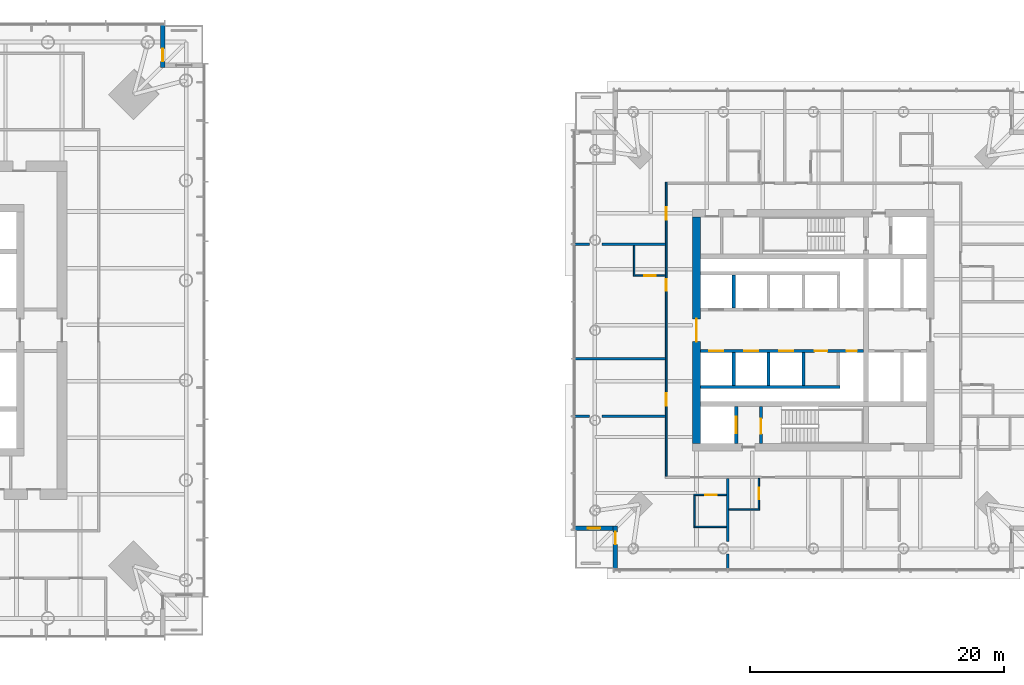
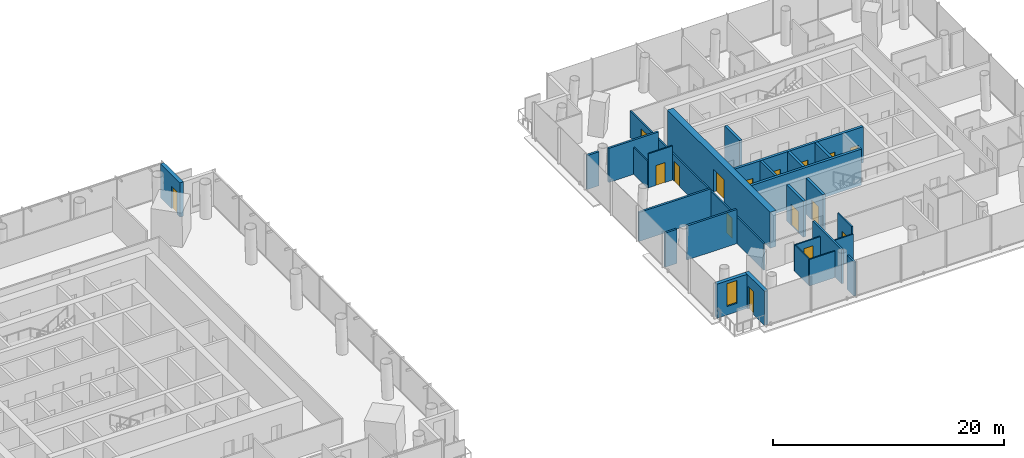
# One storey, part 12 of 22: 27 walls, 16 doors, 1 window, 17 openings.
"""IFC4 building model written with IfcOpenShell, lengths in metres."""

from ifc_helpers import new_model, si_unit, direction, frame, frame_2d, origin, place, context, subcontext, project, spatial, rectangle, extrude, material, layer, layer_set, type_object, element, fill, save


model = new_model("IFC4")

# Units and contexts
model_context = context("Model", 3, precision=1e-05, world=origin(), true_north=direction((0.0, 1.0)))
body_context = subcontext(model_context, "Body", "Model", "MODEL_VIEW")
ifc_project = project(units=[si_unit("LENGTHUNIT", "METRE"), si_unit("AREAUNIT", "SQUARE_METRE"), si_unit("VOLUMEUNIT", "CUBIC_METRE"), si_unit("PLANEANGLEUNIT", "RADIAN"), si_unit("MASSUNIT", "GRAM", prefix="KILO")], contexts=[model_context])

# Site, building, storey
site_placement = place(None, origin())
site = spatial("IfcSite", under=ifc_project, at=site_placement, CompositionType="ELEMENT")
building_placement = place(site_placement, origin())
building = spatial("IfcBuilding", under=site, at=building_placement, Name="Ostroluk Exchange", CompositionType="ELEMENT")
storey_placement = place(building_placement, frame((0.0, 0.0, 62.800048828125)))
storey = spatial("IfcBuildingStorey", under=building, at=storey_placement, Name="L15", CompositionType="ELEMENT", Elevation=62.800048828125)

# Wall, opening, door
ifc_material_1 = material(Name="Concrete C40/50", Category="concrete")
ifc_layer_1 = layer(ifc_material_1, 0.25)
ifc_layer_set_1 = layer_set([ifc_layer_1], Name="Core shaft wall 250")
wall_type_1 = type_object("IfcWallType", Name="Core shaft wall 250", PredefinedType="SHEAR", material=ifc_layer_set_1)
wall_1_placement = place(storey_placement, frame((110.925048828125, 37.10009765625, 0.0), z_axis=(0.0, 0.0, 1.0), x_axis=(0.0, 1.0, 0.0)))
wall_1 = element("IfcWall", 1, at=wall_1_placement, inside=storey, type_object=wall_type_1, Name="Firefighting lift shaft wall", PredefinedType="SHEAR", context=body_context, shape_type="SweptSolid", body=[
    extrude(rectangle(XDim=2.89990234375, YDim=0.25, at=frame_2d((1.449951171875, 0.0))), origin(), (0.0, 0.0, 1.0), 3.800048828125),
])
opening_1_placement = place(wall_1_placement, frame((0.800048828125, 0.0, 0.0)))
opening_1 = element("IfcOpeningElement", 2, at=opening_1_placement, cuts=wall_1, Name="Opening LD2", PredefinedType="OPENING", context=body_context, shape_type="SweptSolid", body=[
    extrude(rectangle(XDim=1.300048828125, YDim=2.199951171875, at=frame_2d((0.64990234375, 1.10009765625))), frame((0.0, 0.135009765625, 0.0), z_axis=(0.0, -1.0, 0.0), x_axis=(1.0, 0.0, 0.0)), (0.0, 0.0, 1.0), 0.27001953125),
])
ifc_material_2 = material(Name="Stainless steel", Category="steel")
door_type_1 = type_object("IfcDoorType", Name="Lift landing door E 60 1300 x 2200", OperationType="DOUBLE_DOOR_SLIDING", PredefinedType="DOOR", material=ifc_material_2)
door_1_placement = place(opening_1_placement, origin())
door_1 = element("IfcDoor", 3, at=door_1_placement, inside=storey, type_object=door_type_1, Name="Lift HF1 landing door", OperationType="DOUBLE_DOOR_SLIDING", OverallHeight=2.199951171875, OverallWidth=1.300048828125, PredefinedType="DOOR", context=body_context, shape_type="SweptSolid", body=[
    extrude(rectangle(XDim=1.300048828125, YDim=2.199951171875, at=frame_2d((0.64990234375, 1.10009765625))), frame((0.0, 0.02490234375, 0.0), z_axis=(0.0, -1.0, 0.0), x_axis=(1.0, 0.0, 0.0)), (0.0, 0.0, 1.0), 0.050048828125),
])
fill(opening_1, door_1)

wall_2_placement = place(storey_placement, frame((112.875, 37.10009765625, 0.0), z_axis=(0.0, 0.0, 1.0), x_axis=(0.0, 1.0, 0.0)))
wall_2 = element("IfcWall", 4, at=wall_2_placement, inside=storey, type_object=wall_type_1, Name="Stair shaft wall", PredefinedType="SHEAR", context=body_context, shape_type="SweptSolid", body=[
    extrude(rectangle(XDim=2.89990234375, YDim=0.25, at=frame_2d((1.449951171875, 0.0))), origin(), (0.0, 0.0, 1.0), 3.800048828125),
])
opening_2_placement = place(wall_2_placement, frame((0.75, 0.0, 0.0)))
opening_2 = element("IfcOpeningElement", 5, at=opening_2_placement, cuts=wall_2, Name="Opening FD60S", PredefinedType="OPENING", context=body_context, shape_type="SweptSolid", body=[
    extrude(rectangle(XDim=1.199951171875, YDim=2.10009765625, at=frame_2d((0.60009765625, 1.050048828125))), frame((0.0, 0.135009765625, 0.0), z_axis=(0.0, -1.0, 0.0), x_axis=(1.0, 0.0, 0.0)), (0.0, 0.0, 1.0), 0.27001953125),
])
ifc_material_3 = material(Name="Steel", Category="steel")
door_type_2 = type_object("IfcDoorType", Name="Stair door EI 60 1200 x 2100", OperationType="SINGLE_SWING_LEFT", PredefinedType="DOOR", material=ifc_material_3)
door_2_placement = place(opening_2_placement, origin())
door_2 = element("IfcDoor", 6, at=door_2_placement, inside=storey, type_object=door_type_2, Name="Stair T2-S1 door", OperationType="SINGLE_SWING_LEFT", OverallHeight=2.10009765625, OverallWidth=1.199951171875, PredefinedType="DOOR", context=body_context, shape_type="SweptSolid", body=[
    extrude(rectangle(XDim=1.199951171875, YDim=2.10009765625, at=frame_2d((0.60009765625, 1.050048828125))), frame((0.0, 0.02490234375, 0.0), z_axis=(0.0, -1.0, 0.0), x_axis=(1.0, 0.0, 0.0)), (0.0, 0.0, 1.0), 0.050048828125),
])
fill(opening_2, door_2)

# Walls
for number, where, z_axis, x_axis, name in (
    (7, (110.72509765625, 47.75, 0.0), (0.0, 0.0, 1.0), (0.0, 1.0, 0.0), "Lift shaft wall"),
    (8, (110.72509765625, 44.25, 0.0), (0.0, 0.0, 1.0), (0.0, -1.0, 0.0), "Lift shaft wall"),
    (9, (113.47509765625, 44.25, 0.0), (0.0, 0.0, 1.0), (0.0, -1.0, 0.0), "Lift shaft wall"),
    (10, (116.22509765625, 44.25, 0.0), (0.0, 0.0, 1.0), (0.0, -1.0, 0.0), "Lift shaft wall"),
):
    element("IfcWall", number, at=place(storey_placement, frame(where, z_axis=z_axis, x_axis=x_axis)), inside=storey, type_object=wall_type_1, Name=name, PredefinedType="SHEAR", context=body_context, shape_type="SweptSolid", body=[
        extrude(rectangle(XDim=2.60009765625, YDim=0.25, at=frame_2d((1.300048828125, 0.0))), origin(), (0.0, 0.0, 1.0), 3.800048828125),
    ])
wall_3_placement = place(storey_placement, frame((108.10009765625, 41.52490234375, 0.0), z_axis=(0.0, 0.0, 1.0), x_axis=(1.0, 0.0, 0.0)))
element("IfcWall", 11, at=wall_3_placement, inside=storey, type_object=wall_type_1, Name="Lift shaft wall", PredefinedType="SHEAR", context=body_context, shape_type="SweptSolid", body=[
    extrude(rectangle(XDim=11.0, YDim=0.25, at=frame_2d((5.5, 0.0))), origin(), (0.0, 0.0, 1.0), 3.800048828125),
])

# Wall, openings, doors
wall_4_placement = place(storey_placement, frame((108.10009765625, 44.375, 0.0), z_axis=(0.0, 0.0, 1.0), x_axis=(1.0, 0.0, 0.0)))
wall_4 = element("IfcWall", 12, at=wall_4_placement, inside=storey, type_object=wall_type_1, Name="Lift shaft front wall", PredefinedType="SHEAR", context=body_context, shape_type="SweptSolid", body=[
    extrude(rectangle(XDim=12.829833984375, YDim=0.25, at=frame_2d((6.4150390625, 0.0))), origin(), (0.0, 0.0, 1.0), 3.800048828125),
])
opening_3_placement = place(wall_4_placement, frame((0.699951171875, 0.0, 0.0)))
opening_3 = element("IfcOpeningElement", 13, at=opening_3_placement, cuts=wall_4, Name="Opening LD", PredefinedType="OPENING", context=body_context, shape_type="SweptSolid", body=[
    extrude(rectangle(XDim=1.10009765625, YDim=2.199951171875, at=frame_2d((0.550048828125, 1.10009765625))), frame((0.0, 0.135009765625, 0.0), z_axis=(0.0, -1.0, 0.0), x_axis=(1.0, 0.0, 0.0)), (0.0, 0.0, 1.0), 0.27001953125),
])
opening_4_placement = place(wall_4_placement, frame((3.449951171875, 0.0, 0.0)))
opening_4 = element("IfcOpeningElement", 14, at=opening_4_placement, cuts=wall_4, Name="Opening LD", PredefinedType="OPENING", context=body_context, shape_type="SweptSolid", body=[
    extrude(rectangle(XDim=1.10009765625, YDim=2.199951171875, at=frame_2d((0.550048828125, 1.10009765625))), frame((0.0, 0.135009765625, 0.0), z_axis=(0.0, -1.0, 0.0), x_axis=(1.0, 0.0, 0.0)), (0.0, 0.0, 1.0), 0.27001953125),
])
opening_5_placement = place(wall_4_placement, frame((6.199951171875, 0.0, 0.0)))
opening_5 = element("IfcOpeningElement", 15, at=opening_5_placement, cuts=wall_4, Name="Opening LD", PredefinedType="OPENING", context=body_context, shape_type="SweptSolid", body=[
    extrude(rectangle(XDim=1.10009765625, YDim=2.199951171875, at=frame_2d((0.550048828125, 1.10009765625))), frame((0.0, 0.135009765625, 0.0), z_axis=(0.0, -1.0, 0.0), x_axis=(1.0, 0.0, 0.0)), (0.0, 0.0, 1.0), 0.27001953125),
])
opening_6_placement = place(wall_4_placement, frame((9.0, 0.0, 0.0)))
opening_6 = element("IfcOpeningElement", 16, at=opening_6_placement, cuts=wall_4, Name="Opening FD60", PredefinedType="OPENING", context=body_context, shape_type="SweptSolid", body=[
    extrude(rectangle(XDim=1.0, YDim=2.10009765625, at=frame_2d((0.5, 1.050048828125))), frame((0.0, 0.135009765625, 0.0), z_axis=(0.0, -1.0, 0.0), x_axis=(1.0, 0.0, 0.0)), (0.0, 0.0, 1.0), 0.27001953125),
])
opening_7_placement = place(wall_4_placement, frame((11.514892578125, 0.0, 0.0)))
opening_7 = element("IfcOpeningElement", 17, at=opening_7_placement, cuts=wall_4, Name="Opening RD60", PredefinedType="OPENING", context=body_context, shape_type="SweptSolid", body=[
    extrude(rectangle(XDim=0.800048828125, YDim=2.0, at=frame_2d((0.39990234375, 1.0))), frame((0.0, 0.135009765625, 0.0), z_axis=(0.0, -1.0, 0.0), x_axis=(1.0, 0.0, 0.0)), (0.0, 0.0, 1.0), 0.27001953125),
])
ifc_material_4 = material(Name="Steel", Category="steel")
door_type_3 = type_object("IfcDoorType", Name="Fire door EI 60 1000 x 2100", OperationType="SINGLE_SWING_LEFT", PredefinedType="DOOR", material=ifc_material_4)
door_3_placement = place(opening_6_placement, origin())
door_3 = element("IfcDoor", 18, at=door_3_placement, inside=storey, type_object=door_type_3, Name="Core room door", OperationType="SINGLE_SWING_RIGHT", OverallHeight=2.10009765625, OverallWidth=1.0, PredefinedType="DOOR", context=body_context, shape_type="SweptSolid", body=[
    extrude(rectangle(XDim=1.0, YDim=2.10009765625, at=frame_2d((0.5, 1.050048828125))), frame((0.0, 0.02490234375, 0.0), z_axis=(0.0, -1.0, 0.0), x_axis=(1.0, 0.0, 0.0)), (0.0, 0.0, 1.0), 0.050048828125),
])
fill(opening_6, door_3)
ifc_material_5 = material(Name="Stainless steel", Category="steel")
door_type_4 = type_object("IfcDoorType", Name="Lift landing door E 60 1100 x 2200", OperationType="DOUBLE_DOOR_SLIDING", PredefinedType="DOOR", material=ifc_material_5)
door_4_placement = place(opening_3_placement, origin())
door_4 = element("IfcDoor", 19, at=door_4_placement, inside=storey, type_object=door_type_4, Name="Lift HL5 landing door", OperationType="DOUBLE_DOOR_SLIDING", OverallHeight=2.199951171875, OverallWidth=1.10009765625, PredefinedType="DOOR", context=body_context, shape_type="SweptSolid", body=[
    extrude(rectangle(XDim=1.10009765625, YDim=2.199951171875, at=frame_2d((0.550048828125, 1.10009765625))), frame((0.0, 0.02490234375, 0.0), z_axis=(0.0, -1.0, 0.0), x_axis=(1.0, 0.0, 0.0)), (0.0, 0.0, 1.0), 0.050048828125),
])
fill(opening_3, door_4)
door_5_placement = place(opening_4_placement, origin())
door_5 = element("IfcDoor", 20, at=door_5_placement, inside=storey, type_object=door_type_4, Name="Lift HL6 landing door", OperationType="DOUBLE_DOOR_SLIDING", OverallHeight=2.199951171875, OverallWidth=1.10009765625, PredefinedType="DOOR", context=body_context, shape_type="SweptSolid", body=[
    extrude(rectangle(XDim=1.10009765625, YDim=2.199951171875, at=frame_2d((0.550048828125, 1.10009765625))), frame((0.0, 0.02490234375, 0.0), z_axis=(0.0, -1.0, 0.0), x_axis=(1.0, 0.0, 0.0)), (0.0, 0.0, 1.0), 0.050048828125),
])
fill(opening_4, door_5)
door_6_placement = place(opening_5_placement, origin())
door_6 = element("IfcDoor", 21, at=door_6_placement, inside=storey, type_object=door_type_4, Name="Lift HL7 landing door", OperationType="DOUBLE_DOOR_SLIDING", OverallHeight=2.199951171875, OverallWidth=1.10009765625, PredefinedType="DOOR", context=body_context, shape_type="SweptSolid", body=[
    extrude(rectangle(XDim=1.10009765625, YDim=2.199951171875, at=frame_2d((0.550048828125, 1.10009765625))), frame((0.0, 0.02490234375, 0.0), z_axis=(0.0, -1.0, 0.0), x_axis=(1.0, 0.0, 0.0)), (0.0, 0.0, 1.0), 0.050048828125),
])
fill(opening_5, door_6)
ifc_material_6 = material(Name="Steel", Category="steel")
door_type_5 = type_object("IfcDoorType", Name="Riser access door EI 60 800 x 2000", OperationType="SINGLE_SWING_LEFT", PredefinedType="DOOR", material=ifc_material_6)
door_7_placement = place(opening_7_placement, origin())
door_7 = element("IfcDoor", 22, at=door_7_placement, inside=storey, type_object=door_type_5, Name="Riser access door", OperationType="SINGLE_SWING_RIGHT", OverallHeight=2.0, OverallWidth=0.800048828125, PredefinedType="DOOR", context=body_context, shape_type="SweptSolid", body=[
    extrude(rectangle(XDim=0.800048828125, YDim=2.0, at=frame_2d((0.39990234375, 1.0))), frame((0.0, 0.02490234375, 0.0), z_axis=(0.0, -1.0, 0.0), x_axis=(1.0, 0.0, 0.0)), (0.0, 0.0, 1.0), 0.050048828125),
])
fill(opening_7, door_7)

# Wall, opening, door
ifc_material_7 = material(Name="Concrete C50/60", Category="concrete")
ifc_layer_2 = layer(ifc_material_7, 0.60009765625)
ifc_layer_set_2 = layer_set([ifc_layer_2], Name="Core wall 600 C50/60")
wall_type_2 = type_object("IfcWallType", Name="Core wall 600 C50/60", PredefinedType="SHEAR", material=ifc_layer_set_2)
wall_5_placement = place(storey_placement, frame((107.800048828125, 37.10009765625, 0.0), z_axis=(0.0, 0.0, 1.0), x_axis=(0.0, 1.0, 0.0)))
wall_5 = element("IfcWall", 23, at=wall_5_placement, inside=storey, type_object=wall_type_2, Name="T2 core wall W", PredefinedType="SHEAR", context=body_context, shape_type="SweptSolid", body=[
    extrude(rectangle(XDim=17.7998046875, YDim=0.60009765625, at=frame_2d((8.89990234375, 0.0))), origin(), (0.0, 0.0, 1.0), 3.800048828125),
])
opening_8_placement = place(wall_5_placement, frame((8.0, 0.0, 0.0)))
opening_8 = element("IfcOpeningElement", 24, at=opening_8_placement, cuts=wall_5, Name="Opening FD30D", PredefinedType="OPENING", context=body_context, shape_type="SweptSolid", body=[
    extrude(rectangle(XDim=1.800048828125, YDim=2.39990234375, at=frame_2d((0.89990234375, 1.199951171875))), frame((0.0, 0.31005859375, 0.0), z_axis=(0.0, -1.0, 0.0), x_axis=(1.0, 0.0, 0.0)), (0.0, 0.0, 1.0), 0.6201171875),
])
ifc_material_8 = material(Name="Timber", Category="wood")
door_type_6 = type_object("IfcDoorType", Name="Lobby double door EI 30 1800 x 2400", OperationType="DOUBLE_DOOR_SINGLE_SWING", PredefinedType="DOOR", material=ifc_material_8)
door_8_placement = place(opening_8_placement, origin())
door_8 = element("IfcDoor", 25, at=door_8_placement, inside=storey, type_object=door_type_6, Name="Lift lobby doors", OperationType="DOUBLE_DOOR_SINGLE_SWING", OverallHeight=2.39990234375, OverallWidth=1.800048828125, PredefinedType="DOOR", context=body_context, shape_type="SweptSolid", body=[
    extrude(rectangle(XDim=1.800048828125, YDim=2.39990234375, at=frame_2d((0.89990234375, 1.199951171875))), frame((0.0, 0.02490234375, 0.0), z_axis=(0.0, -1.0, 0.0), x_axis=(1.0, 0.0, 0.0)), (0.0, 0.0, 1.0), 0.050048828125),
])
fill(opening_8, door_8)

ifc_material_9 = material(Name="Limestone", Category="masonry")
ifc_layer_3 = layer(ifc_material_9, 0.35009765625)
ifc_layer_set_3 = layer_set([ifc_layer_3], Name="Limestone facade wall 350")
wall_type_3 = type_object("IfcWallType", Name="Limestone facade wall 350", PredefinedType="SOLIDWALL", material=ifc_layer_set_3)
wall_6_placement = place(storey_placement, frame((65.824951171875, 70.0, 0.0), z_axis=(0.0, 0.0, 1.0), x_axis=(0.0, -1.0, 0.0)))
wall_6 = element("IfcWall", 26, at=wall_6_placement, inside=storey, type_object=wall_type_3, Name="Office tower NE corner wall L15 a", PredefinedType="SOLIDWALL", context=body_context, shape_type="SweptSolid", body=[
    extrude(rectangle(XDim=3.35009765625, YDim=0.35009765625, at=frame_2d((1.675048828125, 0.0))), origin(), (0.0, 0.0, 1.0), 3.619873046875),
])
opening_9_placement = place(wall_6_placement, frame((1.85009765625, 0.0, 0.0)))
opening_9 = element("IfcOpeningElement", 27, at=opening_9_placement, cuts=wall_6, Name="Opening D-B1", PredefinedType="OPENING", context=body_context, shape_type="SweptSolid", body=[
    extrude(rectangle(XDim=1.0, YDim=2.39990234375, at=frame_2d((0.5, 1.199951171875))), frame((0.0, 0.18505859375, 0.0), z_axis=(0.0, -1.0, 0.0), x_axis=(1.0, 0.0, 0.0)), (0.0, 0.0, 1.0), 0.3701171875),
])
ifc_material_10 = material(Name="Bronze framed glazed door", Category="aluminium")
door_type_7 = type_object("IfcDoorType", Name="Balcony door 1000 x 2400", OperationType="SINGLE_SWING_LEFT", PredefinedType="DOOR", material=ifc_material_10)
door_9_placement = place(opening_9_placement, origin())
door_9 = element("IfcDoor", 28, at=door_9_placement, inside=storey, type_object=door_type_7, Name="Office tower NE balcony door L15", OperationType="SINGLE_SWING_RIGHT", OverallHeight=2.39990234375, OverallWidth=1.0, PredefinedType="DOOR", context=body_context, shape_type="SweptSolid", body=[
    extrude(rectangle(XDim=1.0, YDim=2.39990234375, at=frame_2d((0.5, 1.199951171875))), frame((0.0, 0.02490234375, 0.0), z_axis=(0.0, -1.0, 0.0), x_axis=(1.0, 0.0, 0.0)), (0.0, 0.0, 1.0), 0.050048828125),
])
fill(opening_9, door_9)

wall_7_placement = place(storey_placement, frame((101.425048828125, 27.25, 0.0), z_axis=(0.0, 0.0, 1.0), x_axis=(0.0, 1.0, 0.0)))
wall_7 = element("IfcWall", 29, at=wall_7_placement, inside=storey, type_object=wall_type_3, Name="Hotel tower SW corner wall L15 a", PredefinedType="SOLIDWALL", context=body_context, shape_type="SweptSolid", body=[
    extrude(rectangle(XDim=3.35009765625, YDim=0.35009765625, at=frame_2d((1.675048828125, 0.0))), origin(), (0.0, 0.0, 1.0), 3.599853515625),
])
opening_10_placement = place(wall_7_placement, frame((1.89990234375, 0.0, 0.0)))
opening_10 = element("IfcOpeningElement", 30, at=opening_10_placement, cuts=wall_7, Name="Opening D-B1", PredefinedType="OPENING", context=body_context, shape_type="SweptSolid", body=[
    extrude(rectangle(XDim=1.0, YDim=2.39990234375, at=frame_2d((0.5, 1.199951171875))), frame((0.0, 0.18505859375, 0.0), z_axis=(0.0, -1.0, 0.0), x_axis=(1.0, 0.0, 0.0)), (0.0, 0.0, 1.0), 0.3701171875),
])
door_10_placement = place(opening_10_placement, origin())
door_10 = element("IfcDoor", 31, at=door_10_placement, inside=storey, type_object=door_type_7, Name="Hotel tower SW balcony door L15", OperationType="SINGLE_SWING_RIGHT", OverallHeight=2.39990234375, OverallWidth=1.0, PredefinedType="DOOR", context=body_context, shape_type="SweptSolid", body=[
    extrude(rectangle(XDim=1.0, YDim=2.39990234375, at=frame_2d((0.5, 1.199951171875))), frame((0.0, 0.02490234375, 0.0), z_axis=(0.0, -1.0, 0.0), x_axis=(1.0, 0.0, 0.0)), (0.0, 0.0, 1.0), 0.050048828125),
])
fill(opening_10, door_10)

# Wall, opening, window
wall_8_placement = place(storey_placement, frame((101.25, 30.425048828125, 0.0), z_axis=(0.0, 0.0, 1.0), x_axis=(-1.0, 0.0, 0.0)))
wall_8 = element("IfcWall", 32, at=wall_8_placement, inside=storey, type_object=wall_type_3, Name="Hotel tower SW corner wall L15 b", PredefinedType="SOLIDWALL", context=body_context, shape_type="SweptSolid", body=[
    extrude(rectangle(XDim=3.0, YDim=0.35009765625, at=frame_2d((1.5, 0.0))), origin(), (0.0, 0.0, 1.0), 3.599853515625),
])
opening_11_placement = place(wall_8_placement, frame((1.0, 0.0, 0.89990234375)))
opening_11 = element("IfcOpeningElement", 33, at=opening_11_placement, cuts=wall_8, Name="Opening WN-L3", PredefinedType="OPENING", context=body_context, shape_type="SweptSolid", body=[
    extrude(rectangle(XDim=1.0, YDim=2.39990234375, at=frame_2d((0.5, 1.199951171875))), frame((0.0, 0.18505859375, 0.0), z_axis=(0.0, -1.0, 0.0), x_axis=(1.0, 0.0, 0.0)), (0.0, 0.0, 1.0), 0.3701171875),
])
ifc_material_11 = material(Name="Laminated clear glass", Category="glass")
window_type = type_object("IfcWindowType", Name="Hotel lancet window 1000 x 2400", PartitioningType="SINGLE_PANEL", PredefinedType="WINDOW", material=ifc_material_11)
window_placement = place(opening_11_placement, origin())
window = element("IfcWindow", 34, at=window_placement, inside=storey, type_object=window_type, Name="Hotel tower SW lancet window L15", OverallHeight=2.39990234375, OverallWidth=1.0, PartitioningType="SINGLE_PANEL", PredefinedType="WINDOW", context=body_context, shape_type="SweptSolid", body=[
    extrude(rectangle(XDim=1.0, YDim=2.39990234375, at=frame_2d((0.5, 1.199951171875))), frame((0.0, 0.030029296875, 0.0), z_axis=(0.0, -1.0, 0.0), x_axis=(1.0, 0.0, 0.0)), (0.0, 0.0, 1.0), 0.06005859375),
])
fill(opening_11, window)

# Wall
ifc_material_12 = material(Name="Gypsum plasterboard partition, moisture resistant", Category="gypsum")
ifc_layer_4 = layer(ifc_material_12, 0.1201171875)
ifc_layer_set_4 = layer_set([ifc_layer_4], Name="Plasterboard en-suite wall 120")
wall_type_4 = type_object("IfcWallType", Name="Plasterboard en-suite wall 120", PredefinedType="PARTITIONING", material=ifc_layer_set_4)
wall_9_placement = place(storey_placement, frame((102.889892578125, 52.64990234375, 0.0), z_axis=(0.0, 0.0, 1.0), x_axis=(0.0, -1.0, 0.0)))
element("IfcWall", 35, at=wall_9_placement, inside=storey, type_object=wall_type_4, Name="En-suite wall", PredefinedType="PARTITIONING", context=body_context, shape_type="SweptSolid", body=[
    extrude(rectangle(XDim=2.419921875, YDim=0.1201171875, at=frame_2d((1.2099609375, 0.0))), origin(), (0.0, 0.0, 1.0), 2.846923828125),
])

# Wall, opening, door
wall_10_placement = place(storey_placement, frame((105.35009765625, 50.2900390625, 0.0), z_axis=(0.0, 0.0, 1.0), x_axis=(-1.0, 0.0, 0.0)))
wall_10 = element("IfcWall", 36, at=wall_10_placement, inside=storey, type_object=wall_type_4, Name="En-suite wall", PredefinedType="PARTITIONING", context=body_context, shape_type="SweptSolid", body=[
    extrude(rectangle(XDim=2.400146484375, YDim=0.1201171875, at=frame_2d((1.2001953125, 0.0))), origin(), (0.0, 0.0, 1.0), 3.599853515625),
])
opening_12_placement = place(wall_10_placement, frame((0.75, 0.0, 0.0)))
opening_12 = element("IfcOpeningElement", 37, at=opening_12_placement, cuts=wall_10, Name="Opening D-02", PredefinedType="OPENING", context=body_context, shape_type="SweptSolid", body=[
    extrude(rectangle(XDim=0.89990234375, YDim=2.10009765625, at=frame_2d((0.449951171875, 1.050048828125))), frame((0.0, 0.070068359375, 0.0), z_axis=(0.0, -1.0, 0.0), x_axis=(1.0, 0.0, 0.0)), (0.0, 0.0, 1.0), 0.14013671875),
])
ifc_material_13 = material(Name="Timber", Category="wood")
door_type_8 = type_object("IfcDoorType", Name="En-suite door 900 x 2100", OperationType="SINGLE_SWING_LEFT", PredefinedType="DOOR", material=ifc_material_13)
door_11_placement = place(opening_12_placement, origin())
door_11 = element("IfcDoor", 38, at=door_11_placement, inside=storey, type_object=door_type_8, Name="En-suite door 1507", OperationType="SINGLE_SWING_RIGHT", OverallHeight=2.10009765625, OverallWidth=0.89990234375, PredefinedType="DOOR", context=body_context, shape_type="SweptSolid", body=[
    extrude(rectangle(XDim=0.89990234375, YDim=2.10009765625, at=frame_2d((0.449951171875, 1.050048828125))), frame((0.0, 0.02490234375, 0.0), z_axis=(0.0, -1.0, 0.0), x_axis=(1.0, 0.0, 0.0)), (0.0, 0.0, 1.0), 0.050048828125),
])
fill(opening_12, door_11)

wall_11_placement = place(storey_placement, frame((110.14990234375, 33.050048828125, 0.0), z_axis=(0.0, 0.0, 1.0), x_axis=(-1.0, 0.0, 0.0)))
wall_11 = element("IfcWall", 39, at=wall_11_placement, inside=storey, type_object=wall_type_4, Name="En-suite wall", PredefinedType="PARTITIONING", context=body_context, shape_type="SweptSolid", body=[
    extrude(rectangle(XDim=2.579833984375, YDim=0.1201171875, at=frame_2d((1.2900390625, 0.0))), origin(), (0.0, 0.0, 1.0), 2.800048828125),
])
opening_13_placement = place(wall_11_placement, frame((0.75, 0.0, 0.0)))
opening_13 = element("IfcOpeningElement", 40, at=opening_13_placement, cuts=wall_11, Name="Opening D-02", PredefinedType="OPENING", context=body_context, shape_type="SweptSolid", body=[
    extrude(rectangle(XDim=0.89990234375, YDim=2.10009765625, at=frame_2d((0.449951171875, 1.050048828125))), frame((0.0, 0.070068359375, 0.0), z_axis=(0.0, -1.0, 0.0), x_axis=(1.0, 0.0, 0.0)), (0.0, 0.0, 1.0), 0.14013671875),
])
door_12_placement = place(opening_13_placement, origin())
door_12 = element("IfcDoor", 41, at=door_12_placement, inside=storey, type_object=door_type_8, Name="En-suite door 1508", OperationType="SINGLE_SWING_LEFT", OverallHeight=2.10009765625, OverallWidth=0.89990234375, PredefinedType="DOOR", context=body_context, shape_type="SweptSolid", body=[
    extrude(rectangle(XDim=0.89990234375, YDim=2.10009765625, at=frame_2d((0.449951171875, 1.050048828125))), frame((0.0, 0.02490234375, 0.0), z_axis=(0.0, -1.0, 0.0), x_axis=(1.0, 0.0, 0.0)), (0.0, 0.0, 1.0), 0.050048828125),
])
fill(opening_13, door_12)

# Walls
wall_12_placement = place(storey_placement, frame((110.14990234375, 30.530029296875, 0.0), z_axis=(0.0, 0.0, 1.0), x_axis=(-1.0, 0.0, 0.0)))
element("IfcWall", 42, at=wall_12_placement, inside=storey, type_object=wall_type_4, Name="En-suite wall", PredefinedType="PARTITIONING", context=body_context, shape_type="SweptSolid", body=[
    extrude(rectangle(XDim=2.579833984375, YDim=0.1201171875, at=frame_2d((1.2900390625, 0.0))), origin(), (0.0, 0.0, 1.0), 2.800048828125),
])
wall_13_placement = place(storey_placement, frame((107.6298828125, 32.989990234375, 0.0), z_axis=(0.0, 0.0, 1.0), x_axis=(0.0, -1.0, 0.0)))
element("IfcWall", 43, at=wall_13_placement, inside=storey, type_object=wall_type_4, Name="En-suite wall", PredefinedType="PARTITIONING", context=body_context, shape_type="SweptSolid", body=[
    extrude(rectangle(XDim=2.39990234375, YDim=0.1201171875, at=frame_2d((1.199951171875, 0.0))), origin(), (0.0, 0.0, 1.0), 2.800048828125),
])
wall_14_placement = place(storey_placement, frame((110.35009765625, 31.889892578125, 0.0), z_axis=(0.0, 0.0, 1.0), x_axis=(1.0, 0.0, 0.0)))
element("IfcWall", 44, at=wall_14_placement, inside=storey, type_object=wall_type_4, Name="En-suite wall", PredefinedType="PARTITIONING", context=body_context, shape_type="SweptSolid", body=[
    extrude(rectangle(XDim=2.419921875, YDim=0.1201171875, at=frame_2d((1.2099609375, 0.0))), origin(), (0.0, 0.0, 1.0), 2.846923828125),
])

# Wall, opening, door
wall_15_placement = place(storey_placement, frame((112.7099609375, 34.35009765625, 0.0), z_axis=(0.0, 0.0, 1.0), x_axis=(0.0, -1.0, 0.0)))
wall_15 = element("IfcWall", 45, at=wall_15_placement, inside=storey, type_object=wall_type_4, Name="En-suite wall", PredefinedType="PARTITIONING", context=body_context, shape_type="SweptSolid", body=[
    extrude(rectangle(XDim=2.400146484375, YDim=0.1201171875, at=frame_2d((1.2001953125, 0.0))), origin(), (0.0, 0.0, 1.0), 3.599853515625),
])
opening_14_placement = place(wall_15_placement, frame((0.75, 0.0, 0.0)))
opening_14 = element("IfcOpeningElement", 46, at=opening_14_placement, cuts=wall_15, Name="Opening D-02", PredefinedType="OPENING", context=body_context, shape_type="SweptSolid", body=[
    extrude(rectangle(XDim=0.89990234375, YDim=2.10009765625, at=frame_2d((0.449951171875, 1.050048828125))), frame((0.0, 0.070068359375, 0.0), z_axis=(0.0, -1.0, 0.0), x_axis=(1.0, 0.0, 0.0)), (0.0, 0.0, 1.0), 0.14013671875),
])
door_13_placement = place(opening_14_placement, origin())
door_13 = element("IfcDoor", 47, at=door_13_placement, inside=storey, type_object=door_type_8, Name="En-suite door 1509", OperationType="SINGLE_SWING_LEFT", OverallHeight=2.10009765625, OverallWidth=0.89990234375, PredefinedType="DOOR", context=body_context, shape_type="SweptSolid", body=[
    extrude(rectangle(XDim=0.89990234375, YDim=2.10009765625, at=frame_2d((0.449951171875, 1.050048828125))), frame((0.0, 0.02490234375, 0.0), z_axis=(0.0, -1.0, 0.0), x_axis=(1.0, 0.0, 0.0)), (0.0, 0.0, 1.0), 0.050048828125),
])
fill(opening_14, door_13)

# Wall, openings, doors
ifc_material_14 = material(Name="Gypsum plasterboard partition", Category="gypsum")
ifc_layer_5 = layer(ifc_material_14, 0.14990234375)
ifc_layer_set_5 = layer_set([ifc_layer_5], Name="Plasterboard partition 150")
wall_type_5 = type_object("IfcWallType", Name="Plasterboard partition 150", PredefinedType="PARTITIONING", material=ifc_layer_set_5)
wall_16_placement = place(storey_placement, frame((105.425048828125, 57.64990234375, 0.0), z_axis=(0.0, 0.0, 1.0), x_axis=(0.0, -1.0, 0.0)))
wall_16 = element("IfcWall", 48, at=wall_16_placement, inside=storey, type_object=wall_type_5, Name="Corridor wall", PredefinedType="PARTITIONING", context=body_context, shape_type="SweptSolid", body=[
    extrude(rectangle(XDim=23.14990234375, YDim=0.14990234375, at=frame_2d((11.574951171875, 0.0))), origin(), (0.0, 0.0, 1.0), 2.800048828125),
])
opening_15_placement = place(wall_16_placement, frame((1.97509765625, 0.0, 0.0)))
opening_15 = element("IfcOpeningElement", 49, at=opening_15_placement, cuts=wall_16, Name="Opening D-03", PredefinedType="OPENING", context=body_context, shape_type="SweptSolid", body=[
    extrude(rectangle(XDim=1.0, YDim=2.10009765625, at=frame_2d((0.5, 1.050048828125))), frame((0.0, 0.0849609375, 0.0), z_axis=(0.0, -1.0, 0.0), x_axis=(1.0, 0.0, 0.0)), (0.0, 0.0, 1.0), 0.169921875),
])
opening_16_placement = place(wall_16_placement, frame((7.64990234375, 0.0, 0.0)))
opening_16 = element("IfcOpeningElement", 50, at=opening_16_placement, cuts=wall_16, Name="Opening D-01", PredefinedType="OPENING", context=body_context, shape_type="SweptSolid", body=[
    extrude(rectangle(XDim=0.89990234375, YDim=2.10009765625, at=frame_2d((0.449951171875, 1.050048828125))), frame((0.0, 0.0849609375, 0.0), z_axis=(0.0, -1.0, 0.0), x_axis=(1.0, 0.0, 0.0)), (0.0, 0.0, 1.0), 0.169921875),
])
opening_17_placement = place(wall_16_placement, frame((16.60009765625, 0.0, 0.0)))
opening_17 = element("IfcOpeningElement", 51, at=opening_17_placement, cuts=wall_16, Name="Opening D-03", PredefinedType="OPENING", context=body_context, shape_type="SweptSolid", body=[
    extrude(rectangle(XDim=1.0, YDim=2.10009765625, at=frame_2d((0.5, 1.050048828125))), frame((0.0, 0.0849609375, 0.0), z_axis=(0.0, -1.0, 0.0), x_axis=(1.0, 0.0, 0.0)), (0.0, 0.0, 1.0), 0.169921875),
])
ifc_material_15 = material(Name="Timber", Category="wood")
door_type_9 = type_object("IfcDoorType", Name="Hotel room door EI 30 Sa 900 x 2100", OperationType="SINGLE_SWING_LEFT", PredefinedType="DOOR", material=ifc_material_15)
door_14_placement = place(opening_16_placement, origin())
door_14 = element("IfcDoor", 52, at=door_14_placement, inside=storey, type_object=door_type_9, Name="Room door 1507", OperationType="SINGLE_SWING_LEFT", OverallHeight=2.10009765625, OverallWidth=0.89990234375, PredefinedType="DOOR", context=body_context, shape_type="SweptSolid", body=[
    extrude(rectangle(XDim=0.89990234375, YDim=2.10009765625, at=frame_2d((0.449951171875, 1.050048828125))), frame((0.0, 0.02490234375, 0.0), z_axis=(0.0, -1.0, 0.0), x_axis=(1.0, 0.0, 0.0)), (0.0, 0.0, 1.0), 0.050048828125),
])
fill(opening_16, door_14)
ifc_material_16 = material(Name="Timber", Category="wood")
door_type_10 = type_object("IfcDoorType", Name="Internal door 1000 x 2100", OperationType="SINGLE_SWING_LEFT", PredefinedType="DOOR", material=ifc_material_16)
door_15_placement = place(opening_15_placement, origin())
door_15 = element("IfcDoor", 53, at=door_15_placement, inside=storey, type_object=door_type_10, Name="Guest lounge door", OperationType="SINGLE_SWING_LEFT", OverallHeight=2.10009765625, OverallWidth=1.0, PredefinedType="DOOR", context=body_context, shape_type="SweptSolid", body=[
    extrude(rectangle(XDim=1.0, YDim=2.10009765625, at=frame_2d((0.5, 1.050048828125))), frame((0.0, 0.02490234375, 0.0), z_axis=(0.0, -1.0, 0.0), x_axis=(1.0, 0.0, 0.0)), (0.0, 0.0, 1.0), 0.050048828125),
])
fill(opening_15, door_15)
door_16_placement = place(opening_17_placement, origin())
door_16 = element("IfcDoor", 54, at=door_16_placement, inside=storey, type_object=door_type_10, Name="Housekeeping store door", OperationType="SINGLE_SWING_RIGHT", OverallHeight=2.10009765625, OverallWidth=1.0, PredefinedType="DOOR", context=body_context, shape_type="SweptSolid", body=[
    extrude(rectangle(XDim=1.0, YDim=2.10009765625, at=frame_2d((0.5, 1.050048828125))), frame((0.0, 0.02490234375, 0.0), z_axis=(0.0, -1.0, 0.0), x_axis=(1.0, 0.0, 0.0)), (0.0, 0.0, 1.0), 0.050048828125),
])
fill(opening_17, door_16)

# Walls
ifc_material_17 = material(Name="Gypsum plasterboard partition", Category="gypsum")
ifc_layer_6 = layer(ifc_material_17, 0.199951171875)
ifc_layer_set_6 = layer_set([ifc_layer_6], Name="Plasterboard party wall 200")
wall_type_6 = type_object("IfcWallType", Name="Plasterboard party wall 200", PredefinedType="PARTITIONING", material=ifc_layer_set_6)
wall_17_placement = place(storey_placement, frame((105.35009765625, 52.75, 0.0), z_axis=(0.0, 0.0, 1.0), x_axis=(-1.0, 0.0, 0.0)))
element("IfcWall", 55, at=wall_17_placement, inside=storey, type_object=wall_type_6, Name="Party wall", PredefinedType="PARTITIONING", context=body_context, shape_type="SweptSolid", body=[
    extrude(rectangle(XDim=4.97802734375, YDim=0.199951171875, at=frame_2d((2.489013671875, 0.0))), origin(), (0.0, 0.0, 1.0), 3.599853515625),
])
wall_18_placement = place(storey_placement, frame((99.395263671875, 52.75, 0.0), z_axis=(0.0, 0.0, 1.0), x_axis=(-1.0, 0.0, 0.0)))
element("IfcWall", 56, at=wall_18_placement, inside=storey, type_object=wall_type_6, Name="Party wall", PredefinedType="PARTITIONING", context=body_context, shape_type="SweptSolid", body=[
    extrude(rectangle(XDim=1.185302734375, YDim=0.199951171875, at=frame_2d((0.5927734375, 0.0))), origin(), (0.0, 0.0, 1.0), 3.599853515625),
])
wall_19_placement = place(storey_placement, frame((105.35009765625, 43.75, 0.0), z_axis=(0.0, 0.0, 1.0), x_axis=(-1.0, 0.0, 0.0)))
element("IfcWall", 57, at=wall_19_placement, inside=storey, type_object=wall_type_6, Name="Party wall", PredefinedType="PARTITIONING", context=body_context, shape_type="SweptSolid", body=[
    extrude(rectangle(XDim=7.14013671875, YDim=0.199951171875, at=frame_2d((3.570068359375, 0.0))), origin(), (0.0, 0.0, 1.0), 3.050048828125),
])
wall_20_placement = place(storey_placement, frame((105.35009765625, 39.25, 0.0), z_axis=(0.0, 0.0, 1.0), x_axis=(-1.0, 0.0, 0.0)))
element("IfcWall", 58, at=wall_20_placement, inside=storey, type_object=wall_type_6, Name="Party wall", PredefinedType="PARTITIONING", context=body_context, shape_type="SweptSolid", body=[
    extrude(rectangle(XDim=4.97802734375, YDim=0.199951171875, at=frame_2d((2.489013671875, 0.0))), origin(), (0.0, 0.0, 1.0), 3.599853515625),
])
wall_21_placement = place(storey_placement, frame((99.395263671875, 39.25, 0.0), z_axis=(0.0, 0.0, 1.0), x_axis=(-1.0, 0.0, 0.0)))
element("IfcWall", 59, at=wall_21_placement, inside=storey, type_object=wall_type_6, Name="Party wall", PredefinedType="PARTITIONING", context=body_context, shape_type="SweptSolid", body=[
    extrude(rectangle(XDim=1.185302734375, YDim=0.199951171875, at=frame_2d((0.5927734375, 0.0))), origin(), (0.0, 0.0, 1.0), 3.599853515625),
])
wall_22_placement = place(storey_placement, frame((110.25, 34.35009765625, 0.0), z_axis=(0.0, 0.0, 1.0), x_axis=(0.0, -1.0, 0.0)))
element("IfcWall", 60, at=wall_22_placement, inside=storey, type_object=wall_type_6, Name="Party wall", PredefinedType="PARTITIONING", context=body_context, shape_type="SweptSolid", body=[
    extrude(rectangle(XDim=4.97802734375, YDim=0.199951171875, at=frame_2d((2.489013671875, 0.0))), origin(), (0.0, 0.0, 1.0), 3.599853515625),
])
wall_23_placement = place(storey_placement, frame((110.25, 28.395263671875, 0.0), z_axis=(0.0, 0.0, 1.0), x_axis=(0.0, -1.0, 0.0)))
element("IfcWall", 61, at=wall_23_placement, inside=storey, type_object=wall_type_6, Name="Party wall", PredefinedType="PARTITIONING", context=body_context, shape_type="SweptSolid", body=[
    extrude(rectangle(XDim=1.185302734375, YDim=0.199951171875, at=frame_2d((0.5927734375, 0.0))), origin(), (0.0, 0.0, 1.0), 3.599853515625),
])

save(model, "model.ifc")
